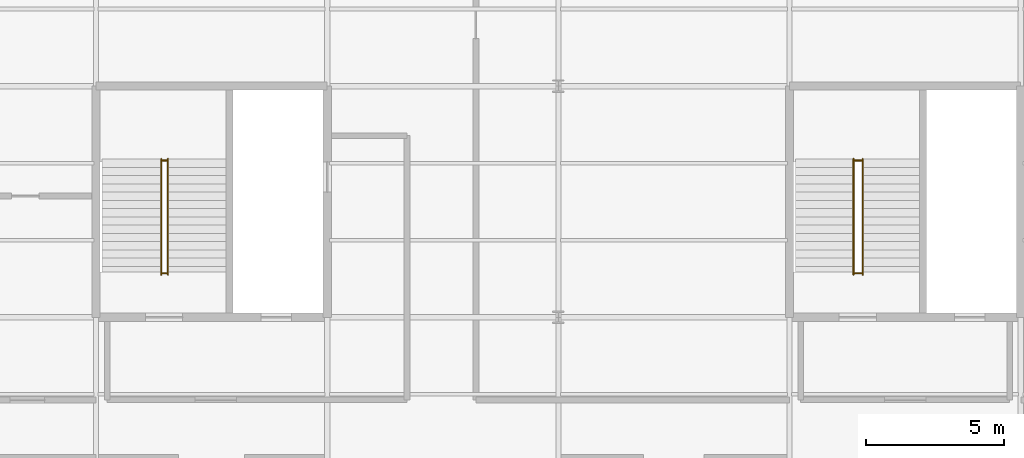
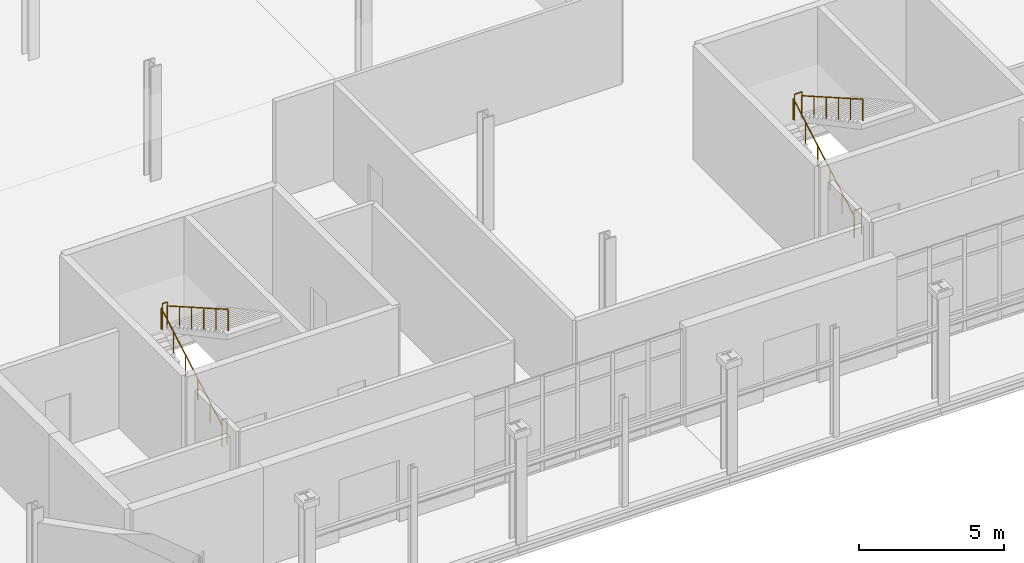
# One storey, part 136 of 145: 8 railings.
"""IFC4 building model written with IfcOpenShell, lengths in metres."""

from ifc_helpers import new_model, si_unit, direction, frame, origin, origin_2d, place, context, subcontext, project, spatial, circle, extrude, material, type_object, element, save


model = new_model("IFC4")

# Units and contexts
model_context = context("Model", 3, precision=1e-05, world=origin(), true_north=direction((0.0, 1.0)))
body_context = subcontext(model_context, "Body", "Model", "MODEL_VIEW")
ifc_project = project(units=[si_unit("LENGTHUNIT", "METRE"), si_unit("AREAUNIT", "SQUARE_METRE"), si_unit("VOLUMEUNIT", "CUBIC_METRE"), si_unit("PLANEANGLEUNIT", "RADIAN"), si_unit("MASSUNIT", "GRAM", prefix="KILO")], contexts=[model_context])

# Site, building, storey
site_placement = place(None, origin())
site = spatial("IfcSite", under=ifc_project, at=site_placement, CompositionType="ELEMENT")
building_placement = place(site_placement, origin())
building = spatial("IfcBuilding", under=site, at=building_placement, Name="Qalvenar Corner Mobility Hub", CompositionType="ELEMENT")
storey_placement = place(building_placement, origin())
storey = spatial("IfcBuildingStorey", under=building, at=storey_placement, Name="L00", CompositionType="ELEMENT", Elevation=0.0)

# Railings
ifc_material_1 = material(Name="Art Nouveau Bronze-Finished Steel Balustrade", Category="steel")
railing_type_1 = type_object("IfcRailingType", Name="RL-GUARD-110", PredefinedType="GUARDRAIL", material=ifc_material_1)
for number, where, name in (
    (1, (10.7900390625, 10.0, 0.0), "Stair Arrival Slot Guard C1-L00"),
    (2, (10.7900390625, 14.10009765625, 2.39990234375), "Stair Half-Landing Well Guard ST1-L00"),
):
    element("IfcRailing", number, at=place(storey_placement, frame(where)), inside=storey, type_object=railing_type_1, Name=name, PredefinedType="GUARDRAIL", context=body_context, shape_type="SweptSolid", body=[
        extrude(circle(Radius=0.02392578125, at=origin_2d()), frame((0.0, 0.0, 1.09619140625), z_axis=(1.0, 0.0, 0.0), x_axis=(0.0, 1.0, 0.0)), (0.0, 0.0, 1.0), 0.199951171875),
        extrude(circle(Radius=0.02099609375, at=origin_2d()), origin(), (0.0, 0.0, 1.0), 1.072021484375),
        extrude(circle(Radius=0.02099609375, at=origin_2d()), frame((0.199951171875, 0.0, 0.0)), (0.0, 0.0, 1.0), 1.072021484375),
    ])
for number, where, name in (
    (3, (35.93994140625, 10.0, 0.0), "Stair Arrival Slot Guard C2-L00"),
    (4, (35.93994140625, 14.10009765625, 2.39990234375), "Stair Half-Landing Well Guard ST2-L00"),
):
    element("IfcRailing", number, at=place(storey_placement, frame(where)), inside=storey, type_object=railing_type_1, Name=name, PredefinedType="GUARDRAIL", context=body_context, shape_type="SweptSolid", body=[
        extrude(circle(Radius=0.02392578125, at=origin_2d()), frame((0.0, 0.0, 1.09619140625), z_axis=(1.0, 0.0, 0.0), x_axis=(0.0, 1.0, 0.0)), (0.0, 0.0, 1.0), 0.300048828125),
        extrude(circle(Radius=0.02099609375, at=origin_2d()), origin(), (0.0, 0.0, 1.0), 1.072021484375),
        extrude(circle(Radius=0.02099609375, at=origin_2d()), frame((0.300048828125, 0.0, 0.0)), (0.0, 0.0, 1.0), 1.072021484375),
    ])
ifc_material_2 = material(Name="Brushed Stainless Steel Handrail", Category="steel")
railing_type_2 = type_object("IfcRailingType", Name="RL-HAND-092", PredefinedType="HANDRAIL", material=ifc_material_2)
railing_1_placement = place(storey_placement, frame((10.77001953125, 9.949951171875, 0.0)))
element("IfcRailing", 5, at=railing_1_placement, inside=storey, type_object=railing_type_2, Name="Stair Handrail ST1-L00-1", PredefinedType="HANDRAIL", context=body_context, shape_type="SweptSolid", body=[
    extrude(circle(Radius=0.02392578125, at=origin_2d()), frame((0.0, 0.0, 0.89599609375), z_axis=(0.0, 0.868249353848, 0.496128067682), x_axis=(-1.0, 0.0, 0.0)), (0.0, 0.0, 1.0), 4.837158203125),
    extrude(circle(Radius=0.02099609375, at=origin_2d()), origin(), (0.0, 0.0, 1.0), 0.871826171875),
    extrude(circle(Radius=0.02099609375, at=origin_2d()), frame((0.0, 0.840087890625, 0.47998046875)), (0.0, 0.0, 1.0), 0.871826171875),
    extrude(circle(Radius=0.02099609375, at=origin_2d()), frame((0.0, 1.679931640625, 0.9599609375)), (0.0, 0.0, 1.0), 0.871826171875),
    extrude(circle(Radius=0.02099609375, at=origin_2d()), frame((0.0, 2.52001953125, 1.43994140625)), (0.0, 0.0, 1.0), 0.871826171875),
    extrude(circle(Radius=0.02099609375, at=origin_2d()), frame((0.0, 3.35986328125, 1.919921875)), (0.0, 0.0, 1.0), 0.871826171875),
    extrude(circle(Radius=0.02099609375, at=origin_2d()), frame((0.0, 4.199951171875, 2.39990234375)), (0.0, 0.0, 1.0), 0.871826171875),
])
railing_2_placement = place(storey_placement, frame((11.010009765625, 14.14990234375, 2.39990234375)))
element("IfcRailing", 6, at=railing_2_placement, inside=storey, type_object=railing_type_2, Name="Stair Handrail ST1-L00-2", PredefinedType="HANDRAIL", context=body_context, shape_type="SweptSolid", body=[
    extrude(circle(Radius=0.02392578125, at=origin_2d()), frame((0.0, 0.0, 0.89599609375), z_axis=(0.0, -0.868227612608, 0.496166114024), x_axis=(1.0, 0.0, 0.0)), (0.0, 0.0, 1.0), 4.83740234375),
    extrude(circle(Radius=0.02099609375, at=origin_2d()), origin(), (0.0, 0.0, 1.0), 0.871826171875),
    extrude(circle(Radius=0.02099609375, at=origin_2d()), frame((0.0, -0.840087890625, 0.47998046875)), (0.0, 0.0, 1.0), 0.871826171875),
    extrude(circle(Radius=0.02099609375, at=origin_2d()), frame((0.0, -1.679931640625, 0.9599609375)), (0.0, 0.0, 1.0), 0.871826171875),
    extrude(circle(Radius=0.02099609375, at=origin_2d()), frame((0.0, -2.52001953125, 1.440185546875)), (0.0, 0.0, 1.0), 0.871826171875),
    extrude(circle(Radius=0.02099609375, at=origin_2d()), frame((0.0, -3.35986328125, 1.920166015625)), (0.0, 0.0, 1.0), 0.871826171875),
    extrude(circle(Radius=0.02099609375, at=origin_2d()), frame((0.0, -4.199951171875, 2.400146484375)), (0.0, 0.0, 1.0), 0.871826171875),
])
railing_3_placement = place(storey_placement, frame((35.919921875, 9.949951171875, 0.0)))
element("IfcRailing", 7, at=railing_3_placement, inside=storey, type_object=railing_type_2, Name="Stair Handrail ST2-L00-1", PredefinedType="HANDRAIL", context=body_context, shape_type="SweptSolid", body=[
    extrude(circle(Radius=0.02392578125, at=origin_2d()), frame((0.0, 0.0, 0.89599609375), z_axis=(0.0, 0.868249353848, 0.496128067682), x_axis=(-1.0, 0.0, 0.0)), (0.0, 0.0, 1.0), 4.837158203125),
    extrude(circle(Radius=0.02099609375, at=origin_2d()), origin(), (0.0, 0.0, 1.0), 0.871826171875),
    extrude(circle(Radius=0.02099609375, at=origin_2d()), frame((0.0, 0.840087890625, 0.47998046875)), (0.0, 0.0, 1.0), 0.871826171875),
    extrude(circle(Radius=0.02099609375, at=origin_2d()), frame((0.0, 1.679931640625, 0.9599609375)), (0.0, 0.0, 1.0), 0.871826171875),
    extrude(circle(Radius=0.02099609375, at=origin_2d()), frame((0.0, 2.52001953125, 1.43994140625)), (0.0, 0.0, 1.0), 0.871826171875),
    extrude(circle(Radius=0.02099609375, at=origin_2d()), frame((0.0, 3.35986328125, 1.919921875)), (0.0, 0.0, 1.0), 0.871826171875),
    extrude(circle(Radius=0.02099609375, at=origin_2d()), frame((0.0, 4.199951171875, 2.39990234375)), (0.0, 0.0, 1.0), 0.871826171875),
])
railing_4_placement = place(storey_placement, frame((36.260009765625, 14.14990234375, 2.39990234375)))
element("IfcRailing", 8, at=railing_4_placement, inside=storey, type_object=railing_type_2, Name="Stair Handrail ST2-L00-2", PredefinedType="HANDRAIL", context=body_context, shape_type="SweptSolid", body=[
    extrude(circle(Radius=0.02392578125, at=origin_2d()), frame((0.0, 0.0, 0.89599609375), z_axis=(0.0, -0.868227612608, 0.496166114024), x_axis=(1.0, 0.0, 0.0)), (0.0, 0.0, 1.0), 4.83740234375),
    extrude(circle(Radius=0.02099609375, at=origin_2d()), origin(), (0.0, 0.0, 1.0), 0.871826171875),
    extrude(circle(Radius=0.02099609375, at=origin_2d()), frame((0.0, -0.840087890625, 0.47998046875)), (0.0, 0.0, 1.0), 0.871826171875),
    extrude(circle(Radius=0.02099609375, at=origin_2d()), frame((0.0, -1.679931640625, 0.9599609375)), (0.0, 0.0, 1.0), 0.871826171875),
    extrude(circle(Radius=0.02099609375, at=origin_2d()), frame((0.0, -2.52001953125, 1.440185546875)), (0.0, 0.0, 1.0), 0.871826171875),
    extrude(circle(Radius=0.02099609375, at=origin_2d()), frame((0.0, -3.35986328125, 1.920166015625)), (0.0, 0.0, 1.0), 0.871826171875),
    extrude(circle(Radius=0.02099609375, at=origin_2d()), frame((0.0, -4.199951171875, 2.400146484375)), (0.0, 0.0, 1.0), 0.871826171875),
])

save(model, "model.ifc")
